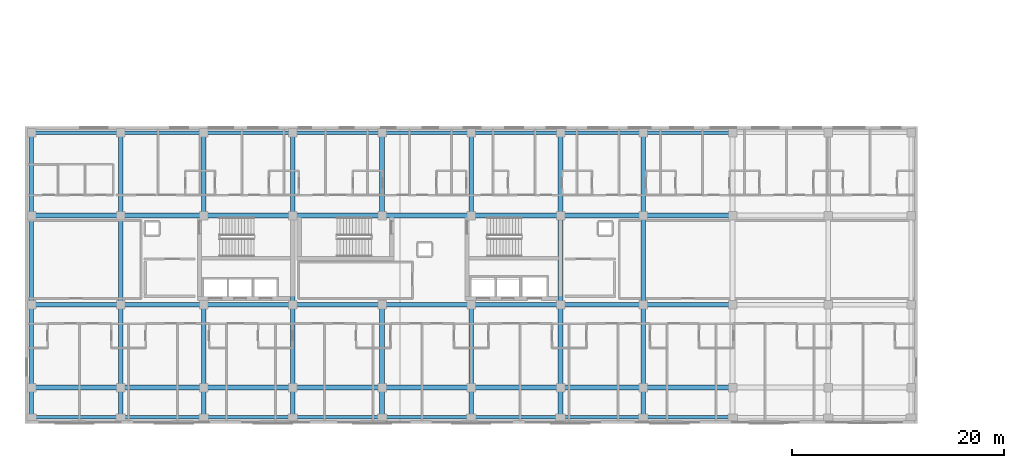
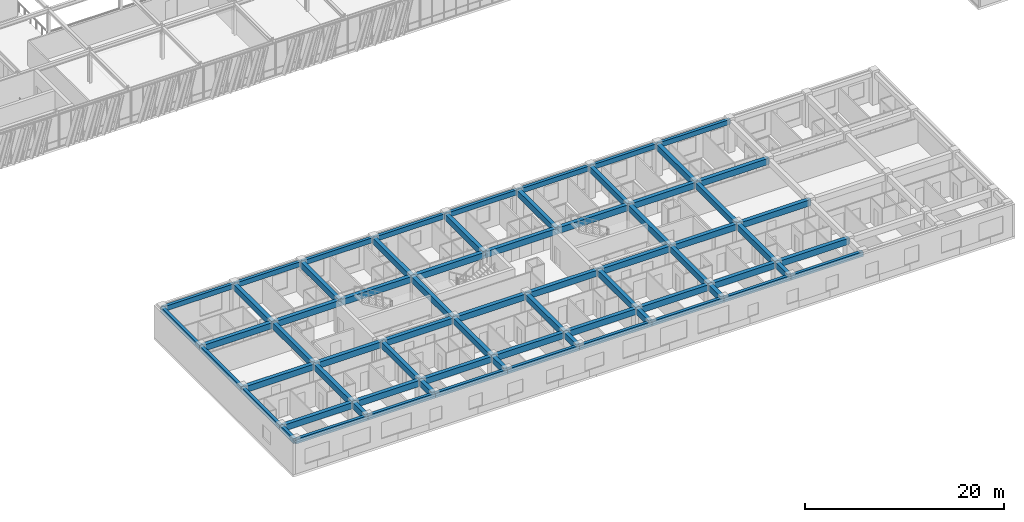
# One storey, part 18 of 123: 69 beams.
"""IFC4 building model written with IfcOpenShell, lengths in metres."""

import ifcopenshell
import ifcopenshell.guid

model = None  # the IFC model being written
_history = None  # IfcOwnerHistory: only IFC2X3 demands one
_inside = {}  # id of a spatial element -> (the spatial element, [elements in it])
_under = {}  # id of a project, library or spatial element -> (it, [spatial elements below it])
_declared = {}  # id of a project -> (the project, [libraries it declares])
_typed = {}  # id of a type object -> (the type object, [elements of that type])
_made_of = {}  # id of a material, layer set ... -> (it, [elements and type objects made of it])


def new_model(schema):
    """Start an empty IFC model of exactly this schema.

    Asked for "IFC4X3", IfcOpenShell would pick the latest addendum, in which some entities
    have other attributes; the version numbers below select the first issue.
    IFC2X3 requires an IfcOwnerHistory on every rooted entity: one is made here for all.
    """
    global model, _history
    if schema == "IFC4X3":
        model = ifcopenshell.file(schema_version=(4, 3, 0, 0))
    else:
        model = ifcopenshell.file(schema=schema)
    _inside.clear()
    _under.clear()
    _declared.clear()
    _typed.clear()
    _made_of.clear()
    _history = None
    if model.schema == "IFC2X3":
        org = make("IfcOrganization", Name="unknown")
        user = make(
            "IfcPersonAndOrganization",
            ThePerson=make("IfcPerson", FamilyName="unknown"),
            TheOrganization=org,
        )
        app = make(
            "IfcApplication",
            ApplicationDeveloper=org,
            Version="unknown",
            ApplicationFullName="unknown",
            ApplicationIdentifier="unknown",
        )
        _history = make(
            "IfcOwnerHistory",
            OwningUser=user,
            OwningApplication=app,
            ChangeAction="ADDED",
            CreationDate=0,
        )
    return model


def make(cls, **values):
    """One entity of the class cls with the attributes given. An attribute that is None is left unset."""
    return model.create_entity(
        cls, **{name: value for name, value in values.items() if value is not None}
    )


def rooted(cls, **values):
    """An entity with a GlobalId (a new one), such as an element, a storey or a relation."""
    return make(cls, GlobalId=ifcopenshell.guid.new(), OwnerHistory=_history, **values)


def si_unit(unit_type, name, prefix=None):
    """IfcSIUnit, for example si_unit("LENGTHUNIT", "METRE", prefix="MILLI")."""
    return make("IfcSIUnit", UnitType=unit_type, Prefix=prefix, Name=name)


def assignment(units):
    """IfcUnitAssignment: the units of a project."""
    return None if units is None else make("IfcUnitAssignment", Units=units)


def point(xyz):
    """IfcCartesianPoint."""
    return None if xyz is None else make("IfcCartesianPoint", Coordinates=xyz)


def direction(xyz):
    """IfcDirection."""
    return None if xyz is None else make("IfcDirection", DirectionRatios=xyz)


def frame(location, z_axis=None, x_axis=None):
    """IfcAxis2Placement3D, a coordinate frame: its origin and axes. An axis left out is left unset."""
    return make(
        "IfcAxis2Placement3D",
        Location=point(location),
        Axis=direction(z_axis),
        RefDirection=direction(x_axis),
    )


def frame_2d(location, x_axis=None):
    """IfcAxis2Placement2D, a coordinate frame in the plane: its origin and x axis."""
    return make(
        "IfcAxis2Placement2D", Location=point(location), RefDirection=direction(x_axis)
    )


def origin():
    """The frame at (0, 0, 0) with its axes left unset."""
    return frame((0.0, 0.0, 0.0))


def origin_2d():
    """The frame at (0, 0) in the plane with its x axis left unset."""
    return frame_2d((0.0, 0.0))


def place(relative_to, where):
    """IfcLocalPlacement: puts the frame where relative to a parent placement (None: the world)."""
    return make(
        "IfcLocalPlacement", PlacementRelTo=relative_to, RelativePlacement=where
    )


def context(
    kind, dimensions, precision=None, world=None, true_north=None, identifier=None
):
    """IfcGeometricRepresentationContext, for example the 3D "Model" context."""
    return make(
        "IfcGeometricRepresentationContext",
        ContextIdentifier=identifier,
        ContextType=kind,
        CoordinateSpaceDimension=dimensions,
        Precision=precision,
        WorldCoordinateSystem=world,
        TrueNorth=true_north,
    )


def subcontext(parent, identifier, kind, view, scale=None):
    """IfcGeometricRepresentationSubContext, for example "Body" below "Model"."""
    return make(
        "IfcGeometricRepresentationSubContext",
        ContextIdentifier=identifier,
        ContextType=kind,
        ParentContext=parent,
        TargetScale=scale,
        TargetView=view,
    )


def project(units=None, contexts=None):
    """IfcProject with its units and contexts."""
    return rooted(
        "IfcProject",
        Name="project",
        RepresentationContexts=contexts,
        UnitsInContext=assignment(units),
    )


def spatial(cls, under=None, at=None, **own):
    """A site, building, storey or space (cls), placed at a placement, below another one or the project."""
    s = rooted(cls, ObjectPlacement=at, **own)
    if under is not None:
        _under.setdefault(under.id(), (under, []))[1].append(s)
    return s


def profile(cls, at=None, kind="AREA", **sizes):
    """A parametric profile (cls). Its sizes go by their IFC names, for example OverallWidth=200.0."""
    return make(cls, ProfileType=kind, Position=at, **sizes)


def rectangle(**sizes):
    """IfcRectangleProfileDef."""
    return profile("IfcRectangleProfileDef", **sizes)


def extrude(swept, where, along, depth):
    """IfcExtrudedAreaSolid: the profile swept, set in the frame where, extruded along a direction by depth."""
    return make(
        "IfcExtrudedAreaSolid",
        SweptArea=swept,
        Position=where,
        ExtrudedDirection=direction(along),
        Depth=depth,
    )


def shape(context_of_items, identifier, shape_type, items):
    """IfcShapeRepresentation: the items that make up one representation, for example the "Body"."""
    return make(
        "IfcShapeRepresentation",
        ContextOfItems=context_of_items,
        RepresentationIdentifier=identifier,
        RepresentationType=shape_type,
        Items=items,
    )


def material(Name=None, Category=None):
    """IfcMaterial."""
    return make("IfcMaterial", Name=Name, Category=Category)


def material_profile(
    of_material, cross_section, Name=None, Category=None, Priority=None
):
    """IfcMaterialProfile: a cross section and its material."""
    return make(
        "IfcMaterialProfile",
        Name=Name,
        Material=of_material,
        Profile=cross_section,
        Priority=Priority,
        Category=Category,
    )


def profile_set(profiles, Name=None, composite=None):
    """IfcMaterialProfileSet."""
    return make(
        "IfcMaterialProfileSet",
        Name=Name,
        MaterialProfiles=profiles,
        CompositeProfile=composite,
    )


def made_of(thing, what):
    """Note that an element or type object is made of a material, layer set ...; save() writes the relation."""
    if what is not None:
        _made_of.setdefault(what.id(), (what, []))[1].append(thing)
    return thing


def type_object(cls, material=None, **own):
    """A type object (cls), such as IfcWallType, which elements share."""
    return made_of(rooted(cls, **own), material)


def element(
    cls,
    number,
    at=None,
    inside=None,
    cuts=None,
    type_object=None,
    material=None,
    context=None,
    identifier="Body",
    shape_type=None,
    held_by="IfcProductDefinitionShape",
    body=None,
    shapes=None,
    **own,
):
    """One element of the class cls, such as IfcWall. Its Tag is "e" and its number.

    at: its placement. inside: the storey or other place that contains it. cuts: it is an
    opening in that element (IfcRelVoidsElement). A single representation is given by context,
    identifier, shape_type and body (its items); several are given by shapes. held_by: the class
    of the entity that holds the representations. save() writes the other relations.
    """
    e = rooted(cls, Tag="e%d" % number, ObjectPlacement=at, **own)
    if body is not None:
        shapes = [shape(context, identifier, shape_type, body)]
    if shapes is not None:
        e.Representation = make(held_by, Representations=shapes)
    if inside is not None:
        _inside.setdefault(inside.id(), (inside, []))[1].append(e)
    if cuts is not None:
        rooted(
            "IfcRelVoidsElement", RelatingBuildingElement=cuts, RelatedOpeningElement=e
        )
    if type_object is not None:
        _typed.setdefault(type_object.id(), (type_object, []))[1].append(e)
    return made_of(e, material)


def aggregate(whole, parts):
    """IfcRelAggregates: a whole, such as a stair, and the parts it consists of."""
    return rooted("IfcRelAggregates", RelatingObject=whole, RelatedObjects=parts)


def save(model, path):
    """Write the relations noted so far, then the file.

    IfcRelAggregates (storeys below a building ...), IfcRelContainedInSpatialStructure (elements
    in a storey), IfcRelDefinesByType, IfcRelAssociatesMaterial and IfcRelDeclares: one each for
    every whole, place, type object, material and project.
    """
    for whole, parts in _under.values():
        aggregate(whole, parts)
    for where, things in _inside.values():
        rooted(
            "IfcRelContainedInSpatialStructure",
            RelatedElements=things,
            RelatingStructure=where,
        )
    for kind, things in _typed.values():
        rooted("IfcRelDefinesByType", RelatedObjects=things, RelatingType=kind)
    for what, things in _made_of.values():
        rooted("IfcRelAssociatesMaterial", RelatedObjects=things, RelatingMaterial=what)
    for by, libraries in _declared.values():
        rooted("IfcRelDeclares", RelatingContext=by, RelatedDefinitions=libraries)
    model.write(path)


model = new_model("IFC4")

# Units and contexts
model_context = context("Model", 3, precision=1e-05, world=origin(), true_north=direction((0.0, 1.0)))
body_context = subcontext(model_context, "Body", "Model", "MODEL_VIEW")
ifc_project = project(units=[si_unit("LENGTHUNIT", "METRE"), si_unit("AREAUNIT", "SQUARE_METRE"), si_unit("VOLUMEUNIT", "CUBIC_METRE"), si_unit("PLANEANGLEUNIT", "RADIAN"), si_unit("MASSUNIT", "GRAM", prefix="KILO")], contexts=[model_context])

# Site, building, storey
site_placement = place(None, origin())
site = spatial("IfcSite", under=ifc_project, at=site_placement, CompositionType="ELEMENT")
building_placement = place(site_placement, origin())
building = spatial("IfcBuilding", under=site, at=building_placement, Name="Zayran Congress Hotel", CompositionType="ELEMENT")
storey_placement = place(building_placement, frame((0.0, 0.0, 15.0)))
storey = spatial("IfcBuildingStorey", under=building, at=storey_placement, Name="L03", CompositionType="ELEMENT", Elevation=15.0)

# Beams
ifc_material = material(Name="Concrete C40/50", Category="concrete")
ifc_material_profile_1 = material_profile(ifc_material, rectangle(XDim=0.449951171875, YDim=0.75, at=origin_2d()), Name="RC 450x750")
ifc_profile_set_1 = profile_set([ifc_material_profile_1], Name="Concrete C40/50")
beam_type_1 = type_object("IfcBeamType", Name="TP-BM-02", PredefinedType="BEAM", material=ifc_profile_set_1)
beam_1_placement = place(storey_placement, frame((9.0, 9.39990234375, 3.544921875), z_axis=(1.0, 0.0, 0.0), x_axis=(0.0, 1.0, 0.0)))
element("IfcBeam", 1, at=beam_1_placement, inside=storey, type_object=beam_type_1, Name="BM-V5-L03-1870", PredefinedType="BEAM", context=body_context, shape_type="SweptSolid", body=[
    extrude(rectangle(XDim=0.449951171875, YDim=0.75, at=origin_2d()), origin(), (0.0, 0.0, 1.0), 8.39990234375),
])
beam_2_placement = place(storey_placement, frame((17.39990234375, 9.39990234375, 3.544921875), z_axis=(1.0, 0.0, 0.0), x_axis=(0.0, 1.0, 0.0)))
element("IfcBeam", 2, at=beam_2_placement, inside=storey, type_object=beam_type_1, Name="BM-V5-L03-1871", PredefinedType="BEAM", context=body_context, shape_type="SweptSolid", body=[
    extrude(rectangle(XDim=0.449951171875, YDim=0.75, at=origin_2d()), origin(), (0.0, 0.0, 1.0), 7.800048828125),
])
beam_3_placement = place(storey_placement, frame((25.199951171875, 9.39990234375, 3.544921875), z_axis=(1.0, 0.0, 0.0), x_axis=(0.0, 1.0, 0.0)))
element("IfcBeam", 3, at=beam_3_placement, inside=storey, type_object=beam_type_1, Name="BM-V5-L03-1872", PredefinedType="BEAM", context=body_context, shape_type="SweptSolid", body=[
    extrude(rectangle(XDim=0.449951171875, YDim=0.75, at=origin_2d()), origin(), (0.0, 0.0, 1.0), 8.400146484375),
])
for number, where, z_axis, x_axis, name in (
    (4, (33.60009765625, 9.39990234375, 3.544921875), (1.0, 0.0, 0.0), (0.0, 1.0, 0.0), "BM-V5-L03-1873"),
    (5, (42.0, 9.39990234375, 3.544921875), (1.0, 0.0, 0.0), (0.0, 1.0, 0.0), "BM-V5-L03-1874"),
):
    element("IfcBeam", number, at=place(storey_placement, frame(where, z_axis=z_axis, x_axis=x_axis)), inside=storey, type_object=beam_type_1, Name=name, PredefinedType="BEAM", context=body_context, shape_type="SweptSolid", body=[
        extrude(rectangle(XDim=0.449951171875, YDim=0.75, at=origin_2d()), origin(), (0.0, 0.0, 1.0), 8.39990234375),
    ])
beam_4_placement = place(storey_placement, frame((50.39990234375, 9.39990234375, 3.544921875), z_axis=(1.0, 0.0, 0.0), x_axis=(0.0, 1.0, 0.0)))
element("IfcBeam", 6, at=beam_4_placement, inside=storey, type_object=beam_type_1, Name="BM-V5-L03-1875", PredefinedType="BEAM", context=body_context, shape_type="SweptSolid", body=[
    extrude(rectangle(XDim=0.449951171875, YDim=0.75, at=origin_2d()), origin(), (0.0, 0.0, 1.0), 8.400146484375),
])
beam_5_placement = place(storey_placement, frame((58.800048828125, 9.39990234375, 3.544921875), z_axis=(1.0, 0.0, 0.0), x_axis=(0.0, 1.0, 0.0)))
element("IfcBeam", 7, at=beam_5_placement, inside=storey, type_object=beam_type_1, Name="BM-V5-L03-1876", PredefinedType="BEAM", context=body_context, shape_type="SweptSolid", body=[
    extrude(rectangle(XDim=0.449951171875, YDim=0.75, at=origin_2d()), origin(), (0.0, 0.0, 1.0), 7.800048828125),
])
for number, where, z_axis, x_axis, name in (
    (8, (66.60009765625, 9.39990234375, 3.544921875), (1.0, 0.0, 0.0), (0.0, 1.0, 0.0), "BM-V5-L03-1877"),
    (9, (9.0, 17.199951171875, 3.544921875), (1.0, 0.0, 0.0), (0.0, 1.0, 0.0), "BM-V5-L03-1880"),
):
    element("IfcBeam", number, at=place(storey_placement, frame(where, z_axis=z_axis, x_axis=x_axis)), inside=storey, type_object=beam_type_1, Name=name, PredefinedType="BEAM", context=body_context, shape_type="SweptSolid", body=[
        extrude(rectangle(XDim=0.449951171875, YDim=0.75, at=origin_2d()), origin(), (0.0, 0.0, 1.0), 8.39990234375),
    ])
beam_6_placement = place(storey_placement, frame((17.39990234375, 17.199951171875, 3.544921875), z_axis=(1.0, 0.0, 0.0), x_axis=(0.0, 1.0, 0.0)))
element("IfcBeam", 10, at=beam_6_placement, inside=storey, type_object=beam_type_1, Name="BM-V5-L03-1881", PredefinedType="BEAM", context=body_context, shape_type="SweptSolid", body=[
    extrude(rectangle(XDim=0.449951171875, YDim=0.75, at=origin_2d()), origin(), (0.0, 0.0, 1.0), 7.800048828125),
])
beam_7_placement = place(storey_placement, frame((25.199951171875, 17.199951171875, 3.544921875), z_axis=(1.0, 0.0, 0.0), x_axis=(0.0, 1.0, 0.0)))
element("IfcBeam", 11, at=beam_7_placement, inside=storey, type_object=beam_type_1, Name="BM-V5-L03-1882", PredefinedType="BEAM", context=body_context, shape_type="SweptSolid", body=[
    extrude(rectangle(XDim=0.449951171875, YDim=0.75, at=origin_2d()), origin(), (0.0, 0.0, 1.0), 8.400146484375),
])
for number, where, z_axis, x_axis, name in (
    (12, (33.60009765625, 17.199951171875, 3.544921875), (1.0, 0.0, 0.0), (0.0, 1.0, 0.0), "BM-V5-L03-1883"),
    (13, (42.0, 17.199951171875, 3.544921875), (1.0, 0.0, 0.0), (0.0, 1.0, 0.0), "BM-V5-L03-1884"),
):
    element("IfcBeam", number, at=place(storey_placement, frame(where, z_axis=z_axis, x_axis=x_axis)), inside=storey, type_object=beam_type_1, Name=name, PredefinedType="BEAM", context=body_context, shape_type="SweptSolid", body=[
        extrude(rectangle(XDim=0.449951171875, YDim=0.75, at=origin_2d()), origin(), (0.0, 0.0, 1.0), 8.39990234375),
    ])
beam_8_placement = place(storey_placement, frame((50.39990234375, 17.199951171875, 3.544921875), z_axis=(1.0, 0.0, 0.0), x_axis=(0.0, 1.0, 0.0)))
element("IfcBeam", 14, at=beam_8_placement, inside=storey, type_object=beam_type_1, Name="BM-V5-L03-1885", PredefinedType="BEAM", context=body_context, shape_type="SweptSolid", body=[
    extrude(rectangle(XDim=0.449951171875, YDim=0.75, at=origin_2d()), origin(), (0.0, 0.0, 1.0), 8.400146484375),
])
beam_9_placement = place(storey_placement, frame((58.800048828125, 17.199951171875, 3.544921875), z_axis=(1.0, 0.0, 0.0), x_axis=(0.0, 1.0, 0.0)))
element("IfcBeam", 15, at=beam_9_placement, inside=storey, type_object=beam_type_1, Name="BM-V5-L03-1886", PredefinedType="BEAM", context=body_context, shape_type="SweptSolid", body=[
    extrude(rectangle(XDim=0.449951171875, YDim=0.75, at=origin_2d()), origin(), (0.0, 0.0, 1.0), 7.800048828125),
])
for number, where, z_axis, x_axis, name in (
    (16, (66.60009765625, 17.199951171875, 3.544921875), (1.0, 0.0, 0.0), (0.0, 1.0, 0.0), "BM-V5-L03-1887"),
    (17, (9.0, 25.60009765625, 3.544921875), (1.0, 0.0, 0.0), (0.0, 1.0, 0.0), "BM-V5-L03-1890"),
):
    element("IfcBeam", number, at=place(storey_placement, frame(where, z_axis=z_axis, x_axis=x_axis)), inside=storey, type_object=beam_type_1, Name=name, PredefinedType="BEAM", context=body_context, shape_type="SweptSolid", body=[
        extrude(rectangle(XDim=0.449951171875, YDim=0.75, at=origin_2d()), origin(), (0.0, 0.0, 1.0), 8.39990234375),
    ])
beam_10_placement = place(storey_placement, frame((17.39990234375, 25.60009765625, 3.544921875), z_axis=(1.0, 0.0, 0.0), x_axis=(0.0, 1.0, 0.0)))
element("IfcBeam", 18, at=beam_10_placement, inside=storey, type_object=beam_type_1, Name="BM-V5-L03-1891", PredefinedType="BEAM", context=body_context, shape_type="SweptSolid", body=[
    extrude(rectangle(XDim=0.449951171875, YDim=0.75, at=origin_2d()), origin(), (0.0, 0.0, 1.0), 7.800048828125),
])
beam_11_placement = place(storey_placement, frame((25.199951171875, 25.60009765625, 3.544921875), z_axis=(1.0, 0.0, 0.0), x_axis=(0.0, 1.0, 0.0)))
element("IfcBeam", 19, at=beam_11_placement, inside=storey, type_object=beam_type_1, Name="BM-V5-L03-1892", PredefinedType="BEAM", context=body_context, shape_type="SweptSolid", body=[
    extrude(rectangle(XDim=0.449951171875, YDim=0.75, at=origin_2d()), origin(), (0.0, 0.0, 1.0), 8.400146484375),
])
for number, where, z_axis, x_axis, name in (
    (20, (33.60009765625, 25.60009765625, 3.544921875), (1.0, 0.0, 0.0), (0.0, 1.0, 0.0), "BM-V5-L03-1893"),
    (21, (42.0, 25.60009765625, 3.544921875), (1.0, 0.0, 0.0), (0.0, 1.0, 0.0), "BM-V5-L03-1894"),
):
    element("IfcBeam", number, at=place(storey_placement, frame(where, z_axis=z_axis, x_axis=x_axis)), inside=storey, type_object=beam_type_1, Name=name, PredefinedType="BEAM", context=body_context, shape_type="SweptSolid", body=[
        extrude(rectangle(XDim=0.449951171875, YDim=0.75, at=origin_2d()), origin(), (0.0, 0.0, 1.0), 8.39990234375),
    ])
beam_12_placement = place(storey_placement, frame((50.39990234375, 25.60009765625, 3.544921875), z_axis=(1.0, 0.0, 0.0), x_axis=(0.0, 1.0, 0.0)))
element("IfcBeam", 22, at=beam_12_placement, inside=storey, type_object=beam_type_1, Name="BM-V5-L03-1895", PredefinedType="BEAM", context=body_context, shape_type="SweptSolid", body=[
    extrude(rectangle(XDim=0.449951171875, YDim=0.75, at=origin_2d()), origin(), (0.0, 0.0, 1.0), 8.400146484375),
])
beam_13_placement = place(storey_placement, frame((58.800048828125, 25.60009765625, 3.544921875), z_axis=(1.0, 0.0, 0.0), x_axis=(0.0, 1.0, 0.0)))
element("IfcBeam", 23, at=beam_13_placement, inside=storey, type_object=beam_type_1, Name="BM-V5-L03-1896", PredefinedType="BEAM", context=body_context, shape_type="SweptSolid", body=[
    extrude(rectangle(XDim=0.449951171875, YDim=0.75, at=origin_2d()), origin(), (0.0, 0.0, 1.0), 7.800048828125),
])
beam_14_placement = place(storey_placement, frame((66.60009765625, 25.60009765625, 3.544921875), z_axis=(1.0, 0.0, 0.0), x_axis=(0.0, 1.0, 0.0)))
element("IfcBeam", 24, at=beam_14_placement, inside=storey, type_object=beam_type_1, Name="BM-V5-L03-1897", PredefinedType="BEAM", context=body_context, shape_type="SweptSolid", body=[
    extrude(rectangle(XDim=0.449951171875, YDim=0.75, at=origin_2d()), origin(), (0.0, 0.0, 1.0), 8.39990234375),
])
beam_15_placement = place(storey_placement, frame((17.39990234375, 6.60009765625, 3.544921875), z_axis=(0.0, 1.0, 0.0), x_axis=(-1.0, 0.0, 0.0)))
element("IfcBeam", 25, at=beam_15_placement, inside=storey, type_object=beam_type_1, Name="BM-V5-L03-1914", PredefinedType="BEAM", context=body_context, shape_type="SweptSolid", body=[
    extrude(rectangle(XDim=0.449951171875, YDim=0.75, at=origin_2d()), origin(), (0.0, 0.0, 1.0), 2.7998046875),
])
beam_16_placement = place(storey_placement, frame((17.39990234375, 9.39990234375, 3.544921875), z_axis=(0.0, 1.0, 0.0), x_axis=(-1.0, 0.0, 0.0)))
element("IfcBeam", 26, at=beam_16_placement, inside=storey, type_object=beam_type_1, Name="BM-V5-L03-1915", PredefinedType="BEAM", context=body_context, shape_type="SweptSolid", body=[
    extrude(rectangle(XDim=0.449951171875, YDim=0.75, at=origin_2d()), origin(), (0.0, 0.0, 1.0), 7.800048828125),
])
beam_17_placement = place(storey_placement, frame((17.39990234375, 17.199951171875, 3.544921875), z_axis=(0.0, 1.0, 0.0), x_axis=(-1.0, 0.0, 0.0)))
element("IfcBeam", 27, at=beam_17_placement, inside=storey, type_object=beam_type_1, Name="BM-V5-L03-1916", PredefinedType="BEAM", context=body_context, shape_type="SweptSolid", body=[
    extrude(rectangle(XDim=0.449951171875, YDim=0.75, at=origin_2d()), origin(), (0.0, 0.0, 1.0), 8.400146484375),
])
beam_18_placement = place(storey_placement, frame((17.39990234375, 25.60009765625, 3.544921875), z_axis=(0.0, 1.0, 0.0), x_axis=(-1.0, 0.0, 0.0)))
element("IfcBeam", 28, at=beam_18_placement, inside=storey, type_object=beam_type_1, Name="BM-V5-L03-1917", PredefinedType="BEAM", context=body_context, shape_type="SweptSolid", body=[
    extrude(rectangle(XDim=0.449951171875, YDim=0.75, at=origin_2d()), origin(), (0.0, 0.0, 1.0), 7.7998046875),
])
beam_19_placement = place(storey_placement, frame((25.199951171875, 6.60009765625, 3.544921875), z_axis=(0.0, 1.0, 0.0), x_axis=(-1.0, 0.0, 0.0)))
element("IfcBeam", 29, at=beam_19_placement, inside=storey, type_object=beam_type_1, Name="BM-V5-L03-1918", PredefinedType="BEAM", context=body_context, shape_type="SweptSolid", body=[
    extrude(rectangle(XDim=0.449951171875, YDim=0.75, at=origin_2d()), origin(), (0.0, 0.0, 1.0), 2.7998046875),
])
beam_20_placement = place(storey_placement, frame((25.199951171875, 9.39990234375, 3.544921875), z_axis=(0.0, 1.0, 0.0), x_axis=(-1.0, 0.0, 0.0)))
element("IfcBeam", 30, at=beam_20_placement, inside=storey, type_object=beam_type_1, Name="BM-V5-L03-1919", PredefinedType="BEAM", context=body_context, shape_type="SweptSolid", body=[
    extrude(rectangle(XDim=0.449951171875, YDim=0.75, at=origin_2d()), origin(), (0.0, 0.0, 1.0), 7.800048828125),
])
beam_21_placement = place(storey_placement, frame((25.199951171875, 25.60009765625, 3.544921875), z_axis=(0.0, 1.0, 0.0), x_axis=(-1.0, 0.0, 0.0)))
element("IfcBeam", 31, at=beam_21_placement, inside=storey, type_object=beam_type_1, Name="BM-V5-L03-1920", PredefinedType="BEAM", context=body_context, shape_type="SweptSolid", body=[
    extrude(rectangle(XDim=0.449951171875, YDim=0.75, at=origin_2d()), origin(), (0.0, 0.0, 1.0), 7.7998046875),
])
beam_22_placement = place(storey_placement, frame((33.60009765625, 6.60009765625, 3.544921875), z_axis=(0.0, 1.0, 0.0), x_axis=(-1.0, 0.0, 0.0)))
element("IfcBeam", 32, at=beam_22_placement, inside=storey, type_object=beam_type_1, Name="BM-V5-L03-1921", PredefinedType="BEAM", context=body_context, shape_type="SweptSolid", body=[
    extrude(rectangle(XDim=0.449951171875, YDim=0.75, at=origin_2d()), origin(), (0.0, 0.0, 1.0), 2.7998046875),
])
beam_23_placement = place(storey_placement, frame((33.60009765625, 9.39990234375, 3.544921875), z_axis=(0.0, 1.0, 0.0), x_axis=(-1.0, 0.0, 0.0)))
element("IfcBeam", 33, at=beam_23_placement, inside=storey, type_object=beam_type_1, Name="BM-V5-L03-1922", PredefinedType="BEAM", context=body_context, shape_type="SweptSolid", body=[
    extrude(rectangle(XDim=0.449951171875, YDim=0.75, at=origin_2d()), origin(), (0.0, 0.0, 1.0), 7.800048828125),
])
beam_24_placement = place(storey_placement, frame((33.60009765625, 17.199951171875, 3.544921875), z_axis=(0.0, 1.0, 0.0), x_axis=(-1.0, 0.0, 0.0)))
element("IfcBeam", 34, at=beam_24_placement, inside=storey, type_object=beam_type_1, Name="BM-V5-L03-1923", PredefinedType="BEAM", context=body_context, shape_type="SweptSolid", body=[
    extrude(rectangle(XDim=0.449951171875, YDim=0.75, at=origin_2d()), origin(), (0.0, 0.0, 1.0), 8.400146484375),
])
beam_25_placement = place(storey_placement, frame((33.60009765625, 25.60009765625, 3.544921875), z_axis=(0.0, 1.0, 0.0), x_axis=(-1.0, 0.0, 0.0)))
element("IfcBeam", 35, at=beam_25_placement, inside=storey, type_object=beam_type_1, Name="BM-V5-L03-1924", PredefinedType="BEAM", context=body_context, shape_type="SweptSolid", body=[
    extrude(rectangle(XDim=0.449951171875, YDim=0.75, at=origin_2d()), origin(), (0.0, 0.0, 1.0), 7.7998046875),
])
beam_26_placement = place(storey_placement, frame((42.0, 6.60009765625, 3.544921875), z_axis=(0.0, 1.0, 0.0), x_axis=(-1.0, 0.0, 0.0)))
element("IfcBeam", 36, at=beam_26_placement, inside=storey, type_object=beam_type_1, Name="BM-V5-L03-1925", PredefinedType="BEAM", context=body_context, shape_type="SweptSolid", body=[
    extrude(rectangle(XDim=0.449951171875, YDim=0.75, at=origin_2d()), origin(), (0.0, 0.0, 1.0), 2.7998046875),
])
beam_27_placement = place(storey_placement, frame((42.0, 9.39990234375, 3.544921875), z_axis=(0.0, 1.0, 0.0), x_axis=(-1.0, 0.0, 0.0)))
element("IfcBeam", 37, at=beam_27_placement, inside=storey, type_object=beam_type_1, Name="BM-V5-L03-1926", PredefinedType="BEAM", context=body_context, shape_type="SweptSolid", body=[
    extrude(rectangle(XDim=0.449951171875, YDim=0.75, at=origin_2d()), origin(), (0.0, 0.0, 1.0), 7.800048828125),
])
beam_28_placement = place(storey_placement, frame((42.0, 25.60009765625, 3.544921875), z_axis=(0.0, 1.0, 0.0), x_axis=(-1.0, 0.0, 0.0)))
element("IfcBeam", 38, at=beam_28_placement, inside=storey, type_object=beam_type_1, Name="BM-V5-L03-1928", PredefinedType="BEAM", context=body_context, shape_type="SweptSolid", body=[
    extrude(rectangle(XDim=0.449951171875, YDim=0.75, at=origin_2d()), origin(), (0.0, 0.0, 1.0), 7.7998046875),
])
beam_29_placement = place(storey_placement, frame((50.39990234375, 6.60009765625, 3.544921875), z_axis=(0.0, 1.0, 0.0), x_axis=(-1.0, 0.0, 0.0)))
element("IfcBeam", 39, at=beam_29_placement, inside=storey, type_object=beam_type_1, Name="BM-V5-L03-1929", PredefinedType="BEAM", context=body_context, shape_type="SweptSolid", body=[
    extrude(rectangle(XDim=0.449951171875, YDim=0.75, at=origin_2d()), origin(), (0.0, 0.0, 1.0), 2.7998046875),
])
beam_30_placement = place(storey_placement, frame((50.39990234375, 9.39990234375, 3.544921875), z_axis=(0.0, 1.0, 0.0), x_axis=(-1.0, 0.0, 0.0)))
element("IfcBeam", 40, at=beam_30_placement, inside=storey, type_object=beam_type_1, Name="BM-V5-L03-1930", PredefinedType="BEAM", context=body_context, shape_type="SweptSolid", body=[
    extrude(rectangle(XDim=0.449951171875, YDim=0.75, at=origin_2d()), origin(), (0.0, 0.0, 1.0), 7.800048828125),
])
beam_31_placement = place(storey_placement, frame((50.39990234375, 25.60009765625, 3.544921875), z_axis=(0.0, 1.0, 0.0), x_axis=(-1.0, 0.0, 0.0)))
element("IfcBeam", 41, at=beam_31_placement, inside=storey, type_object=beam_type_1, Name="BM-V5-L03-1931", PredefinedType="BEAM", context=body_context, shape_type="SweptSolid", body=[
    extrude(rectangle(XDim=0.449951171875, YDim=0.75, at=origin_2d()), origin(), (0.0, 0.0, 1.0), 7.7998046875),
])
beam_32_placement = place(storey_placement, frame((58.800048828125, 6.60009765625, 3.544921875), z_axis=(0.0, 1.0, 0.0), x_axis=(-1.0, 0.0, 0.0)))
element("IfcBeam", 42, at=beam_32_placement, inside=storey, type_object=beam_type_1, Name="BM-V5-L03-1932", PredefinedType="BEAM", context=body_context, shape_type="SweptSolid", body=[
    extrude(rectangle(XDim=0.449951171875, YDim=0.75, at=origin_2d()), origin(), (0.0, 0.0, 1.0), 2.7998046875),
])
beam_33_placement = place(storey_placement, frame((58.800048828125, 9.39990234375, 3.544921875), z_axis=(0.0, 1.0, 0.0), x_axis=(-1.0, 0.0, 0.0)))
element("IfcBeam", 43, at=beam_33_placement, inside=storey, type_object=beam_type_1, Name="BM-V5-L03-1933", PredefinedType="BEAM", context=body_context, shape_type="SweptSolid", body=[
    extrude(rectangle(XDim=0.449951171875, YDim=0.75, at=origin_2d()), origin(), (0.0, 0.0, 1.0), 7.800048828125),
])
beam_34_placement = place(storey_placement, frame((58.800048828125, 17.199951171875, 3.544921875), z_axis=(0.0, 1.0, 0.0), x_axis=(-1.0, 0.0, 0.0)))
element("IfcBeam", 44, at=beam_34_placement, inside=storey, type_object=beam_type_1, Name="BM-V5-L03-1934", PredefinedType="BEAM", context=body_context, shape_type="SweptSolid", body=[
    extrude(rectangle(XDim=0.449951171875, YDim=0.75, at=origin_2d()), origin(), (0.0, 0.0, 1.0), 8.400146484375),
])
beam_35_placement = place(storey_placement, frame((58.800048828125, 25.60009765625, 3.544921875), z_axis=(0.0, 1.0, 0.0), x_axis=(-1.0, 0.0, 0.0)))
element("IfcBeam", 45, at=beam_35_placement, inside=storey, type_object=beam_type_1, Name="BM-V5-L03-1935", PredefinedType="BEAM", context=body_context, shape_type="SweptSolid", body=[
    extrude(rectangle(XDim=0.449951171875, YDim=0.75, at=origin_2d()), origin(), (0.0, 0.0, 1.0), 7.7998046875),
])
beam_36_placement = place(storey_placement, frame((66.60009765625, 6.60009765625, 3.544921875), z_axis=(0.0, 1.0, 0.0), x_axis=(-1.0, 0.0, 0.0)))
element("IfcBeam", 46, at=beam_36_placement, inside=storey, type_object=beam_type_1, Name="BM-V5-L03-1936", PredefinedType="BEAM", context=body_context, shape_type="SweptSolid", body=[
    extrude(rectangle(XDim=0.449951171875, YDim=0.75, at=origin_2d()), origin(), (0.0, 0.0, 1.0), 2.7998046875),
])
beam_37_placement = place(storey_placement, frame((66.60009765625, 9.39990234375, 3.544921875), z_axis=(0.0, 1.0, 0.0), x_axis=(-1.0, 0.0, 0.0)))
element("IfcBeam", 47, at=beam_37_placement, inside=storey, type_object=beam_type_1, Name="BM-V5-L03-1937", PredefinedType="BEAM", context=body_context, shape_type="SweptSolid", body=[
    extrude(rectangle(XDim=0.449951171875, YDim=0.75, at=origin_2d()), origin(), (0.0, 0.0, 1.0), 7.800048828125),
])
beam_38_placement = place(storey_placement, frame((66.60009765625, 17.199951171875, 3.544921875), z_axis=(0.0, 1.0, 0.0), x_axis=(-1.0, 0.0, 0.0)))
element("IfcBeam", 48, at=beam_38_placement, inside=storey, type_object=beam_type_1, Name="BM-V5-L03-1938", PredefinedType="BEAM", context=body_context, shape_type="SweptSolid", body=[
    extrude(rectangle(XDim=0.449951171875, YDim=0.75, at=origin_2d()), origin(), (0.0, 0.0, 1.0), 8.400146484375),
])
beam_39_placement = place(storey_placement, frame((66.60009765625, 25.60009765625, 3.544921875), z_axis=(0.0, 1.0, 0.0), x_axis=(-1.0, 0.0, 0.0)))
element("IfcBeam", 49, at=beam_39_placement, inside=storey, type_object=beam_type_1, Name="BM-V5-L03-1939", PredefinedType="BEAM", context=body_context, shape_type="SweptSolid", body=[
    extrude(rectangle(XDim=0.449951171875, YDim=0.75, at=origin_2d()), origin(), (0.0, 0.0, 1.0), 7.7998046875),
])
ifc_material_profile_2 = material_profile(ifc_material, rectangle(XDim=0.35009765625, YDim=0.60009765625, at=origin_2d()), Name="RC 350x600")
ifc_profile_set_2 = profile_set([ifc_material_profile_2], Name="Concrete C40/50")
beam_type_2 = type_object("IfcBeamType", Name="TP-SP-01", PredefinedType="SPANDREL", material=ifc_profile_set_2)
beam_40_placement = place(storey_placement, frame((9.0, 6.60009765625, 3.6201171875), z_axis=(1.0, 0.0, 0.0), x_axis=(0.0, 1.0, 0.0)))
element("IfcBeam", 50, at=beam_40_placement, inside=storey, type_object=beam_type_2, Name="BM-V5-L03-1860", PredefinedType="SPANDREL", context=body_context, shape_type="SweptSolid", body=[
    extrude(rectangle(XDim=0.35009765625, YDim=0.60009765625, at=origin_2d()), origin(), (0.0, 0.0, 1.0), 8.39990234375),
])
beam_41_placement = place(storey_placement, frame((17.39990234375, 6.60009765625, 3.6201171875), z_axis=(1.0, 0.0, 0.0), x_axis=(0.0, 1.0, 0.0)))
element("IfcBeam", 51, at=beam_41_placement, inside=storey, type_object=beam_type_2, Name="BM-V5-L03-1861", PredefinedType="SPANDREL", context=body_context, shape_type="SweptSolid", body=[
    extrude(rectangle(XDim=0.35009765625, YDim=0.60009765625, at=origin_2d()), origin(), (0.0, 0.0, 1.0), 7.800048828125),
])
beam_42_placement = place(storey_placement, frame((25.199951171875, 6.60009765625, 3.6201171875), z_axis=(1.0, 0.0, 0.0), x_axis=(0.0, 1.0, 0.0)))
element("IfcBeam", 52, at=beam_42_placement, inside=storey, type_object=beam_type_2, Name="BM-V5-L03-1862", PredefinedType="SPANDREL", context=body_context, shape_type="SweptSolid", body=[
    extrude(rectangle(XDim=0.35009765625, YDim=0.60009765625, at=origin_2d()), origin(), (0.0, 0.0, 1.0), 8.400146484375),
])
for number, where, z_axis, x_axis, name in (
    (53, (33.60009765625, 6.60009765625, 3.6201171875), (1.0, 0.0, 0.0), (0.0, 1.0, 0.0), "BM-V5-L03-1863"),
    (54, (42.0, 6.60009765625, 3.6201171875), (1.0, 0.0, 0.0), (0.0, 1.0, 0.0), "BM-V5-L03-1864"),
):
    element("IfcBeam", number, at=place(storey_placement, frame(where, z_axis=z_axis, x_axis=x_axis)), inside=storey, type_object=beam_type_2, Name=name, PredefinedType="SPANDREL", context=body_context, shape_type="SweptSolid", body=[
        extrude(rectangle(XDim=0.35009765625, YDim=0.60009765625, at=origin_2d()), origin(), (0.0, 0.0, 1.0), 8.39990234375),
    ])
beam_43_placement = place(storey_placement, frame((50.39990234375, 6.60009765625, 3.6201171875), z_axis=(1.0, 0.0, 0.0), x_axis=(0.0, 1.0, 0.0)))
element("IfcBeam", 55, at=beam_43_placement, inside=storey, type_object=beam_type_2, Name="BM-V5-L03-1865", PredefinedType="SPANDREL", context=body_context, shape_type="SweptSolid", body=[
    extrude(rectangle(XDim=0.35009765625, YDim=0.60009765625, at=origin_2d()), origin(), (0.0, 0.0, 1.0), 8.400146484375),
])
beam_44_placement = place(storey_placement, frame((58.800048828125, 6.60009765625, 3.6201171875), z_axis=(1.0, 0.0, 0.0), x_axis=(0.0, 1.0, 0.0)))
element("IfcBeam", 56, at=beam_44_placement, inside=storey, type_object=beam_type_2, Name="BM-V5-L03-1866", PredefinedType="SPANDREL", context=body_context, shape_type="SweptSolid", body=[
    extrude(rectangle(XDim=0.35009765625, YDim=0.60009765625, at=origin_2d()), origin(), (0.0, 0.0, 1.0), 7.800048828125),
])
for number, where, z_axis, x_axis, name in (
    (57, (66.60009765625, 6.60009765625, 3.6201171875), (1.0, 0.0, 0.0), (0.0, 1.0, 0.0), "BM-V5-L03-1867"),
    (58, (9.0, 33.39990234375, 3.6201171875), (1.0, 0.0, 0.0), (0.0, 1.0, 0.0), "BM-V5-L03-1900"),
):
    element("IfcBeam", number, at=place(storey_placement, frame(where, z_axis=z_axis, x_axis=x_axis)), inside=storey, type_object=beam_type_2, Name=name, PredefinedType="SPANDREL", context=body_context, shape_type="SweptSolid", body=[
        extrude(rectangle(XDim=0.35009765625, YDim=0.60009765625, at=origin_2d()), origin(), (0.0, 0.0, 1.0), 8.39990234375),
    ])
beam_45_placement = place(storey_placement, frame((17.39990234375, 33.39990234375, 3.6201171875), z_axis=(1.0, 0.0, 0.0), x_axis=(0.0, 1.0, 0.0)))
element("IfcBeam", 59, at=beam_45_placement, inside=storey, type_object=beam_type_2, Name="BM-V5-L03-1901", PredefinedType="SPANDREL", context=body_context, shape_type="SweptSolid", body=[
    extrude(rectangle(XDim=0.35009765625, YDim=0.60009765625, at=origin_2d()), origin(), (0.0, 0.0, 1.0), 7.800048828125),
])
beam_46_placement = place(storey_placement, frame((25.199951171875, 33.39990234375, 3.6201171875), z_axis=(1.0, 0.0, 0.0), x_axis=(0.0, 1.0, 0.0)))
element("IfcBeam", 60, at=beam_46_placement, inside=storey, type_object=beam_type_2, Name="BM-V5-L03-1902", PredefinedType="SPANDREL", context=body_context, shape_type="SweptSolid", body=[
    extrude(rectangle(XDim=0.35009765625, YDim=0.60009765625, at=origin_2d()), origin(), (0.0, 0.0, 1.0), 8.400146484375),
])
for number, where, z_axis, x_axis, name in (
    (61, (33.60009765625, 33.39990234375, 3.6201171875), (1.0, 0.0, 0.0), (0.0, 1.0, 0.0), "BM-V5-L03-1903"),
    (62, (42.0, 33.39990234375, 3.6201171875), (1.0, 0.0, 0.0), (0.0, 1.0, 0.0), "BM-V5-L03-1904"),
):
    element("IfcBeam", number, at=place(storey_placement, frame(where, z_axis=z_axis, x_axis=x_axis)), inside=storey, type_object=beam_type_2, Name=name, PredefinedType="SPANDREL", context=body_context, shape_type="SweptSolid", body=[
        extrude(rectangle(XDim=0.35009765625, YDim=0.60009765625, at=origin_2d()), origin(), (0.0, 0.0, 1.0), 8.39990234375),
    ])
beam_47_placement = place(storey_placement, frame((50.39990234375, 33.39990234375, 3.6201171875), z_axis=(1.0, 0.0, 0.0), x_axis=(0.0, 1.0, 0.0)))
element("IfcBeam", 63, at=beam_47_placement, inside=storey, type_object=beam_type_2, Name="BM-V5-L03-1905", PredefinedType="SPANDREL", context=body_context, shape_type="SweptSolid", body=[
    extrude(rectangle(XDim=0.35009765625, YDim=0.60009765625, at=origin_2d()), origin(), (0.0, 0.0, 1.0), 8.400146484375),
])
beam_48_placement = place(storey_placement, frame((58.800048828125, 33.39990234375, 3.6201171875), z_axis=(1.0, 0.0, 0.0), x_axis=(0.0, 1.0, 0.0)))
element("IfcBeam", 64, at=beam_48_placement, inside=storey, type_object=beam_type_2, Name="BM-V5-L03-1906", PredefinedType="SPANDREL", context=body_context, shape_type="SweptSolid", body=[
    extrude(rectangle(XDim=0.35009765625, YDim=0.60009765625, at=origin_2d()), origin(), (0.0, 0.0, 1.0), 7.800048828125),
])
beam_49_placement = place(storey_placement, frame((66.60009765625, 33.39990234375, 3.6201171875), z_axis=(1.0, 0.0, 0.0), x_axis=(0.0, 1.0, 0.0)))
element("IfcBeam", 65, at=beam_49_placement, inside=storey, type_object=beam_type_2, Name="BM-V5-L03-1907", PredefinedType="SPANDREL", context=body_context, shape_type="SweptSolid", body=[
    extrude(rectangle(XDim=0.35009765625, YDim=0.60009765625, at=origin_2d()), origin(), (0.0, 0.0, 1.0), 8.39990234375),
])
beam_50_placement = place(storey_placement, frame((9.0, 6.60009765625, 3.6201171875), z_axis=(0.0, 1.0, 0.0), x_axis=(-1.0, 0.0, 0.0)))
element("IfcBeam", 66, at=beam_50_placement, inside=storey, type_object=beam_type_2, Name="BM-V5-L03-1910", PredefinedType="SPANDREL", context=body_context, shape_type="SweptSolid", body=[
    extrude(rectangle(XDim=0.35009765625, YDim=0.60009765625, at=origin_2d()), origin(), (0.0, 0.0, 1.0), 2.7998046875),
])
beam_51_placement = place(storey_placement, frame((9.0, 9.39990234375, 3.6201171875), z_axis=(0.0, 1.0, 0.0), x_axis=(-1.0, 0.0, 0.0)))
element("IfcBeam", 67, at=beam_51_placement, inside=storey, type_object=beam_type_2, Name="BM-V5-L03-1911", PredefinedType="SPANDREL", context=body_context, shape_type="SweptSolid", body=[
    extrude(rectangle(XDim=0.35009765625, YDim=0.60009765625, at=origin_2d()), origin(), (0.0, 0.0, 1.0), 7.800048828125),
])
beam_52_placement = place(storey_placement, frame((9.0, 17.199951171875, 3.6201171875), z_axis=(0.0, 1.0, 0.0), x_axis=(-1.0, 0.0, 0.0)))
element("IfcBeam", 68, at=beam_52_placement, inside=storey, type_object=beam_type_2, Name="BM-V5-L03-1912", PredefinedType="SPANDREL", context=body_context, shape_type="SweptSolid", body=[
    extrude(rectangle(XDim=0.35009765625, YDim=0.60009765625, at=origin_2d()), origin(), (0.0, 0.0, 1.0), 8.400146484375),
])
beam_53_placement = place(storey_placement, frame((9.0, 25.60009765625, 3.6201171875), z_axis=(0.0, 1.0, 0.0), x_axis=(-1.0, 0.0, 0.0)))
element("IfcBeam", 69, at=beam_53_placement, inside=storey, type_object=beam_type_2, Name="BM-V5-L03-1913", PredefinedType="SPANDREL", context=body_context, shape_type="SweptSolid", body=[
    extrude(rectangle(XDim=0.35009765625, YDim=0.60009765625, at=origin_2d()), origin(), (0.0, 0.0, 1.0), 7.7998046875),
])

save(model, "model.ifc")
